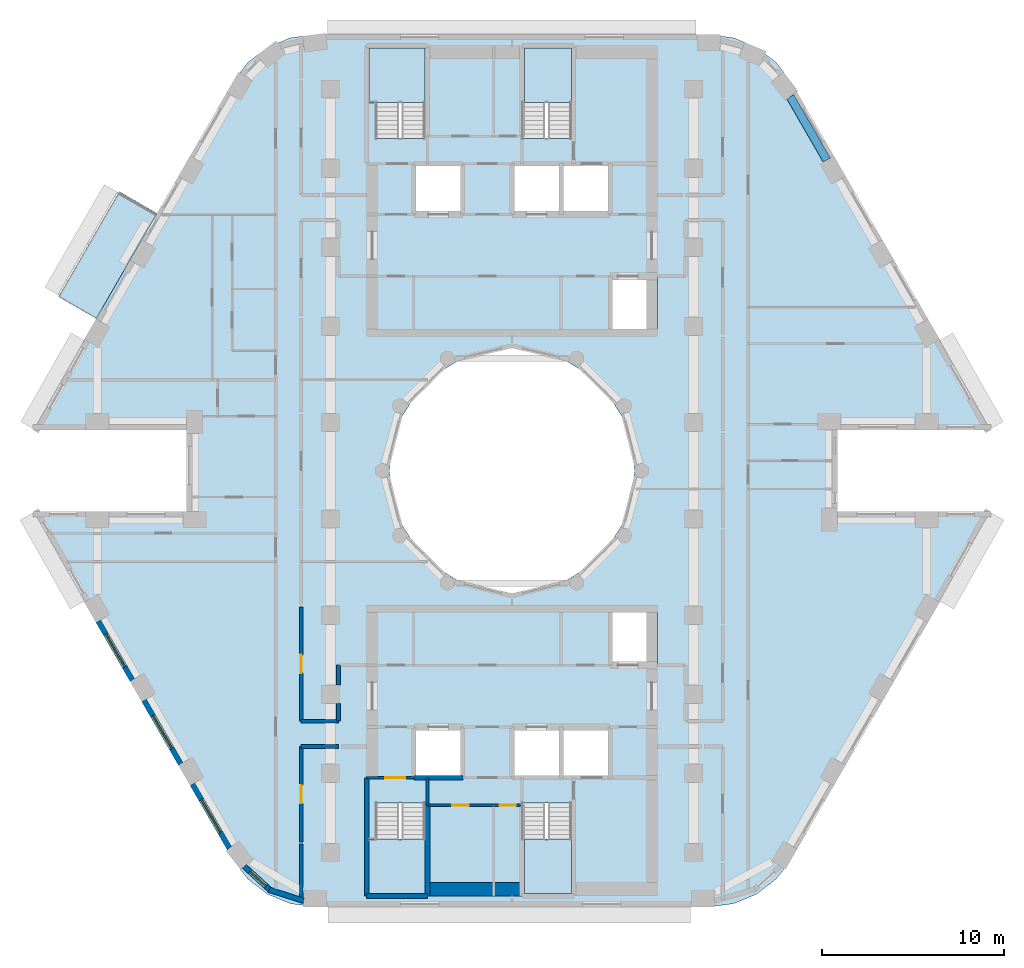
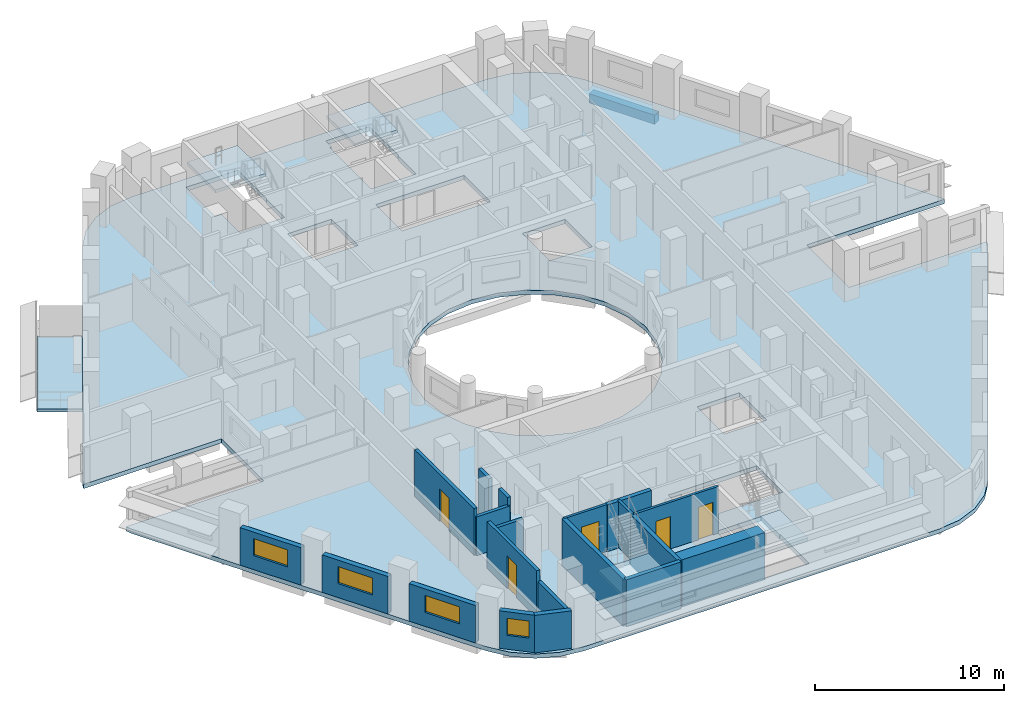
# One storey, part 2 of 13: 20 walls, 6 slabs, 5 doors, 4 windows, 1 beam, 9 openings, 4 elements without a shape of their own.
"""IFC4 building model written with IfcOpenShell, lengths in metres."""

from ifc_helpers import new_model, si_unit, direction, frame, frame_2d, origin, origin_2d, place, context, subcontext, project, spatial, polyline, rectangle, outline, extrude, material, layer, layer_set, material_profile, profile_set, type_object, element, fill, aggregate, save


model = new_model("IFC4")

# Units and contexts
model_context = context("Model", 3, precision=1e-05, world=origin(), true_north=direction((0.0, 1.0)))
body_context = subcontext(model_context, "Body", "Model", "MODEL_VIEW")
ifc_project = project(units=[si_unit("LENGTHUNIT", "METRE"), si_unit("AREAUNIT", "SQUARE_METRE"), si_unit("VOLUMEUNIT", "CUBIC_METRE"), si_unit("PLANEANGLEUNIT", "RADIAN"), si_unit("MASSUNIT", "GRAM", prefix="KILO")], contexts=[model_context])

# Site, building, storey
site_placement = place(None, origin())
site = spatial("IfcSite", under=ifc_project, at=site_placement, CompositionType="ELEMENT")
building_placement = place(site_placement, origin())
building = spatial("IfcBuilding", under=site, at=building_placement, Name="Nakaniwa Court", CompositionType="ELEMENT")
storey_placement = place(building_placement, frame((0.0, 0.0, 150.300048828125)))
storey = spatial("IfcBuildingStorey", under=building, at=storey_placement, Name="L39", CompositionType="ELEMENT", Elevation=150.300048828125)

# Beam
ifc_material_1 = material(Name="Concrete C80/100", Category="concrete")
ifc_material_profile = material_profile(ifc_material_1, rectangle(XDim=0.449951171875, YDim=0.60009765625, at=origin_2d()), Name="Concrete C80/100 RC 450x600 spandrel beam")
ifc_profile_set = profile_set([ifc_material_profile], Name="Concrete C80/100")
beam_type = type_object("IfcBeamType", Name="Concrete C80/100 RC 450x600 spandrel beam", PredefinedType="BEAM", material=ifc_profile_set)
beam_placement = place(storey_placement, frame((97.320556640625, 97.10009765625, -0.574951171875), z_axis=(-0.500018573463, 0.866014680125, 0.0), x_axis=(-0.866014680125, -0.500018573463, 0.0)))
element("IfcBeam", 1, at=beam_placement, inside=storey, type_object=beam_type, Name="SPANDREL BEAM", PredefinedType="BEAM", context=body_context, shape_type="SweptSolid", body=[
    extrude(rectangle(XDim=0.449951171875, YDim=0.60009765625, at=origin_2d()), origin(), (0.0, 0.0, 1.0), 4.020263671875),
])

# Slabs
ifc_material_2 = material(Name="Charcoal ceramic paver")
ifc_layer_1 = layer(ifc_material_2, 0.02, Name="Ceramic paver")
ifc_material_3 = material(Name="Cement sand screed")
ifc_layer_2 = layer(ifc_material_3, 0.03, Name="Falls screed")
ifc_material_4 = material(Name="Concrete C40/50", Category="concrete")
ifc_layer_3 = layer(ifc_material_4, 0.15, Name="Balcony slab")
ifc_layer_set_1 = layer_set([ifc_layer_1, ifc_layer_2, ifc_layer_3], Name="Concrete C40/50 balcony slab with ceramic paver finish")
slab_type_1 = type_object("IfcSlabType", Name="Balcony slab 200", PredefinedType="FLOOR", material=ifc_layer_set_1)
slab_1_placement = place(storey_placement, frame((0.0, 0.0, -0.25)))
element("IfcSlab", 2, at=slab_1_placement, inside=storey, type_object=slab_type_1, Name="L39 balcony 01", PredefinedType="FLOOR", context=body_context, shape_type="SweptSolid", body=[
    extrude(outline(polyline([(60.466796875, 94.16748046875), (57.12255859375, 88.375), (55.044189453125, 89.574951171875), (58.38818359375, 95.36767578125), (60.466796875, 94.16748046875)])), origin(), (0.0, 0.0, 1.0), 0.199951171875),
])
ifc_layer_4 = layer(ifc_material_1, 0.27490234375)
ifc_layer_set_2 = layer_set([ifc_layer_4], Name="Concrete C80/100")
slab_type_2 = type_object("IfcSlabType", Name="Concrete C80/100 post tensioned floor slab 275", PredefinedType="FLOOR", material=ifc_layer_set_2)
slab_2_placement = place(storey_placement, frame((0.0, 0.0, -0.275146484375)))
element("IfcSlab", 3, at=slab_2_placement, inside=storey, type_object=slab_type_2, Name="FLOOR SLAB", PredefinedType="FLOOR", context=body_context, shape_type="SweptSolid", body=[
    extrude(outline(polyline([(97.908447265625, 82.25), (106.356689453125, 82.25), (106.211669921875, 82.60009765625), (95.357421875, 101.39990234375), (94.531005859375, 102.47705078125), (93.4541015625, 103.30322265625), (92.199951171875, 103.82275390625), (90.854248046875, 104.0), (69.145751953125, 104.0), (67.800048828125, 103.82275390625), (66.5458984375, 103.30322265625), (65.468994140625, 102.47705078125), (64.642578125, 101.39990234375), (53.788330078125, 82.60009765625), (53.643310546875, 82.25), (62.091552734375, 82.25), (62.091552734375, 77.75), (53.643310546875, 77.75), (53.788330078125, 77.39990234375), (64.642578125, 58.60009765625), (65.468994140625, 57.52294921875), (66.5458984375, 56.69677734375), (67.800048828125, 56.17724609375), (69.145751953125, 56.0), (90.854248046875, 56.0), (92.199951171875, 56.17724609375), (93.4541015625, 56.69677734375), (94.531005859375, 57.52294921875), (95.357421875, 58.60009765625), (106.211669921875, 77.39990234375), (106.356689453125, 77.75), (97.908447265625, 77.75), (97.908447265625, 82.25)]), holes=[polyline([(81.501953125, 86.580810546875), (80.0, 86.75), (78.498046875, 86.580810546875), (77.0712890625, 86.08154296875), (75.79150390625, 85.27734375), (74.72265625, 84.20849609375), (73.91845703125, 82.9287109375), (73.419189453125, 81.501953125), (73.25, 80.0), (73.419189453125, 78.498046875), (73.91845703125, 77.0712890625), (74.72265625, 75.79150390625), (75.79150390625, 74.72265625), (77.0712890625, 73.91845703125), (78.498046875, 73.419189453125), (80.0, 73.25), (81.501953125, 73.419189453125), (82.9287109375, 73.91845703125), (84.20849609375, 74.72265625), (85.27734375, 75.79150390625), (86.08154296875, 77.0712890625), (86.580810546875, 78.498046875), (86.75, 80.0), (86.580810546875, 81.501953125), (86.08154296875, 82.9287109375), (85.27734375, 84.20849609375), (84.20849609375, 85.27734375), (82.9287109375, 86.08154296875), (81.501953125, 86.580810546875)]), polyline([(72.47509765625, 61.7099609375), (72.47509765625, 59.764892578125), (72.0849609375, 59.764892578125), (72.0849609375, 56.68505859375), (75.264892578125, 56.68505859375), (75.264892578125, 59.764892578125), (75.22509765625, 59.764892578125), (75.22509765625, 61.7099609375), (72.47509765625, 61.7099609375)]), polyline([(77.300048828125, 65.89990234375), (74.60009765625, 65.89990234375), (74.60009765625, 63.10009765625), (77.300048828125, 63.10009765625), (77.300048828125, 65.89990234375)]), polyline([(80.0, 65.89990234375), (80.0, 63.10009765625), (82.699951171875, 63.10009765625), (85.39990234375, 63.10009765625), (85.39990234375, 65.89990234375), (82.699951171875, 65.89990234375), (80.0, 65.89990234375)]), polyline([(77.300048828125, 96.89990234375), (74.60009765625, 96.89990234375), (74.60009765625, 94.10009765625), (77.300048828125, 94.10009765625), (77.300048828125, 96.89990234375)]), polyline([(80.0, 96.89990234375), (80.0, 94.10009765625), (82.699951171875, 94.10009765625), (85.39990234375, 94.10009765625), (85.39990234375, 96.89990234375), (82.699951171875, 96.89990234375), (80.0, 96.89990234375)]), polyline([(75.264892578125, 100.235107421875), (75.264892578125, 103.31494140625), (72.0849609375, 103.31494140625), (72.0849609375, 100.235107421875), (72.47509765625, 100.235107421875), (72.47509765625, 98.2900390625), (75.22509765625, 98.2900390625), (75.22509765625, 100.235107421875), (75.264892578125, 100.235107421875)]), polyline([(83.27490234375, 61.7099609375), (80.52490234375, 61.7099609375), (80.52490234375, 57.324951171875), (80.635009765625, 57.324951171875), (80.635009765625, 56.68505859375), (83.31494140625, 56.68505859375), (83.31494140625, 59.764892578125), (83.27490234375, 59.764892578125), (83.27490234375, 61.7099609375)]), polyline([(88.0, 72.199951171875), (85.39990234375, 72.199951171875), (85.39990234375, 69.300048828125), (88.0, 69.300048828125), (88.0, 72.199951171875)]), polyline([(88.0, 90.699951171875), (85.39990234375, 90.699951171875), (85.39990234375, 87.800048828125), (88.0, 87.800048828125), (88.0, 90.699951171875)]), polyline([(83.31494140625, 100.235107421875), (83.31494140625, 103.31494140625), (80.635009765625, 103.31494140625), (80.635009765625, 102.675048828125), (80.52490234375, 102.675048828125), (80.52490234375, 98.2900390625), (83.27490234375, 98.2900390625), (83.27490234375, 100.235107421875), (83.31494140625, 100.235107421875)])]), origin(), (0.0, 0.0, 1.0), 0.275146484375),
])

# Stair, slab
stair_type = type_object("IfcStairType", Name="Dog leg stair 1300 wide 18 risers", PredefinedType="HALF_TURN_STAIR", material=ifc_material_1)
stair_1_placement = place(storey_placement, origin())
stair_1 = element("IfcStair", 4, at=stair_1_placement, inside=storey, type_object=stair_type, Name="L39 Stair ST1", PredefinedType="HALF_TURN_STAIR")
ifc_layer_5 = layer(ifc_material_1, 0.199951171875)
ifc_layer_set_3 = layer_set([ifc_layer_5], Name="Concrete C80/100")
slab_type_3 = type_object("IfcSlabType", Name="Stair landing concrete", PredefinedType="LANDING", material=ifc_layer_set_3)
slab_3_placement = place(storey_placement, frame((0.0, 0.0, 1.449951171875)))
slab_3 = element("IfcSlab", 5, at=slab_3_placement, type_object=slab_type_3, Name="ST1 landing 1", PredefinedType="LANDING", context=body_context, shape_type="SweptSolid", body=[
    extrude(outline(polyline([(75.22509765625, 100.27490234375), (75.22509765625, 103.27490234375), (72.125, 103.27490234375), (72.125, 100.27490234375), (75.22509765625, 100.27490234375)])), origin(), (0.0, 0.0, 1.0), 0.199951171875),
])
aggregate(stair_1, [slab_3])

stair_2_placement = place(storey_placement, origin())
stair_2 = element("IfcStair", 6, at=stair_2_placement, inside=storey, type_object=stair_type, Name="L39 Stair ST2", PredefinedType="HALF_TURN_STAIR")
slab_4_placement = place(storey_placement, frame((0.0, 0.0, 1.449951171875)))
slab_4 = element("IfcSlab", 7, at=slab_4_placement, type_object=slab_type_3, Name="ST2 landing 1", PredefinedType="LANDING", context=body_context, shape_type="SweptSolid", body=[
    extrude(outline(polyline([(83.27490234375, 100.27490234375), (83.27490234375, 103.27490234375), (80.675048828125, 103.27490234375), (80.675048828125, 100.27490234375), (83.27490234375, 100.27490234375)])), origin(), (0.0, 0.0, 1.0), 0.199951171875),
])
aggregate(stair_2, [slab_4])

stair_3_placement = place(storey_placement, origin())
stair_3 = element("IfcStair", 8, at=stair_3_placement, inside=storey, type_object=stair_type, Name="L39 Stair ST3", PredefinedType="HALF_TURN_STAIR")
slab_5_placement = place(storey_placement, frame((0.0, 0.0, 1.449951171875)))
slab_5 = element("IfcSlab", 9, at=slab_5_placement, type_object=slab_type_3, Name="ST3 landing 1", PredefinedType="LANDING", context=body_context, shape_type="SweptSolid", body=[
    extrude(outline(polyline([(75.22509765625, 56.72509765625), (75.22509765625, 59.72509765625), (72.125, 59.72509765625), (72.125, 56.72509765625), (75.22509765625, 56.72509765625)])), origin(), (0.0, 0.0, 1.0), 0.199951171875),
])
aggregate(stair_3, [slab_5])

stair_4_placement = place(storey_placement, origin())
stair_4 = element("IfcStair", 10, at=stair_4_placement, inside=storey, type_object=stair_type, Name="L39 Stair ST4", PredefinedType="HALF_TURN_STAIR")
slab_6_placement = place(storey_placement, frame((0.0, 0.0, 1.449951171875)))
slab_6 = element("IfcSlab", 11, at=slab_6_placement, type_object=slab_type_3, Name="ST4 landing 1", PredefinedType="LANDING", context=body_context, shape_type="SweptSolid", body=[
    extrude(outline(polyline([(83.27490234375, 56.72509765625), (83.27490234375, 59.72509765625), (80.675048828125, 59.72509765625), (80.675048828125, 56.72509765625), (83.27490234375, 56.72509765625)])), origin(), (0.0, 0.0, 1.0), 0.199951171875),
])
aggregate(stair_4, [slab_6])

# Walls
ifc_material_5 = material(Name="Acoustic double stud partition")
ifc_layer_6 = layer(ifc_material_5, 0.199951171875)
ifc_layer_set_4 = layer_set([ifc_layer_6], Name="Acoustic double stud partition")
wall_type_1 = type_object("IfcWallType", Name="Acoustic double stud partition 200", PredefinedType="PARTITIONING", material=ifc_layer_set_4)
wall_1_placement = place(storey_placement, frame((68.39990234375, 64.824951171875, 0.0), z_axis=(0.0, 0.0, 1.0), x_axis=(1.0, 0.0, 0.0)))
element("IfcWall", 12, at=wall_1_placement, inside=storey, type_object=wall_type_1, Name="Partition PW-076", PredefinedType="PARTITIONING", context=body_context, shape_type="SweptSolid", body=[
    extrude(rectangle(XDim=2.06298828125, YDim=0.199951171875, at=frame_2d((1.031494140625, 0.0))), origin(), (0.0, 0.0, 1.0), 2.5048828125),
])
wall_2_placement = place(storey_placement, frame((68.39990234375, 66.22509765625, 0.0), z_axis=(0.0, 0.0, 1.0), x_axis=(1.0, 0.0, 0.0)))
element("IfcWall", 13, at=wall_2_placement, inside=storey, type_object=wall_type_1, Name="Partition PW-087", PredefinedType="PARTITIONING", context=body_context, shape_type="SweptSolid", body=[
    extrude(rectangle(XDim=2.050048828125, YDim=0.199951171875, at=frame_2d((1.02490234375, 0.0))), origin(), (0.0, 0.0, 1.0), 2.5048828125),
])
wall_3_placement = place(storey_placement, frame((68.39990234375, 56.40087890625, 0.0), z_axis=(0.0, 0.0, 1.0), x_axis=(0.0, 1.0, 0.0)))
element("IfcWall", 14, at=wall_3_placement, inside=storey, type_object=wall_type_1, Name="Partition PW-097", PredefinedType="PARTITIONING", context=body_context, shape_type="SweptSolid", body=[
    extrude(rectangle(XDim=3.06201171875, YDim=0.199951171875, at=frame_2d((1.531005859375, 0.0))), origin(), (0.0, 0.0, 1.0), 2.405029296875),
])

# Wall, opening, door
wall_4_placement = place(storey_placement, frame((68.39990234375, 64.824951171875, 0.0), z_axis=(0.0, 0.0, 1.0), x_axis=(0.0, -1.0, 0.0)))
wall_4 = element("IfcWall", 15, at=wall_4_placement, inside=storey, type_object=wall_type_1, Name="Partition PW-098", PredefinedType="PARTITIONING", context=body_context, shape_type="SweptSolid", body=[
    extrude(rectangle(XDim=5.247802734375, YDim=0.199951171875, at=frame_2d((2.6240234375, 0.0))), origin(), (0.0, 0.0, 1.0), 3.02490234375),
])
opening_1_placement = place(wall_4_placement, frame((2.123046875, 0.0, 0.0)))
opening_1 = element("IfcOpeningElement", 16, at=opening_1_placement, cuts=wall_4, Name="Opening D-02-05", PredefinedType="OPENING", context=body_context, shape_type="SweptSolid", body=[
    extrude(rectangle(XDim=1.0, YDim=2.10009765625, at=frame_2d((0.5, 1.050048828125))), frame((0.0, 0.10986328125, 0.0), z_axis=(0.0, -1.0, 0.0), x_axis=(1.0, 0.0, 0.0)), (0.0, 0.0, 1.0), 0.219970703125),
])
ifc_material_6 = material(Name="Solid core timber door set, black veneer", Category="wood")
door_type_1 = type_object("IfcDoorType", Name="Internal door 1000", OperationType="NOTDEFINED", PredefinedType="DOOR", material=ifc_material_6)
door_1_placement = place(opening_1_placement, origin())
door_1 = element("IfcDoor", 17, at=door_1_placement, inside=storey, type_object=door_type_1, Name="Door D-02-05 L39-031", OperationType="SINGLE_SWING_RIGHT", OverallHeight=2.10009765625, OverallWidth=1.0, PredefinedType="DOOR", context=body_context, shape_type="SweptSolid", body=[
    extrude(rectangle(XDim=1.0, YDim=2.10009765625, at=frame_2d((0.5, 1.050048828125))), frame((0.0, 0.02490234375, 0.0), z_axis=(0.0, -1.0, 0.0), x_axis=(1.0, 0.0, 0.0)), (0.0, 0.0, 1.0), 0.050048828125),
])
fill(opening_1, door_1)

wall_5_placement = place(storey_placement, frame((68.39990234375, 72.5126953125, 0.0), z_axis=(0.0, 0.0, 1.0), x_axis=(0.0, -1.0, 0.0)))
wall_5 = element("IfcWall", 18, at=wall_5_placement, inside=storey, type_object=wall_type_1, Name="Partition PW-099", PredefinedType="PARTITIONING", context=body_context, shape_type="SweptSolid", body=[
    extrude(rectangle(XDim=6.28759765625, YDim=0.199951171875, at=frame_2d((3.143798828125, 0.0))), origin(), (0.0, 0.0, 1.0), 3.02490234375),
])
opening_2_placement = place(wall_5_placement, frame((2.64501953125, 0.0, 0.0)))
opening_2 = element("IfcOpeningElement", 19, at=opening_2_placement, cuts=wall_5, Name="Opening D-02-07", PredefinedType="OPENING", context=body_context, shape_type="SweptSolid", body=[
    extrude(rectangle(XDim=1.0, YDim=2.10009765625, at=frame_2d((0.5, 1.050048828125))), frame((0.0, 0.10986328125, 0.0), z_axis=(0.0, -1.0, 0.0), x_axis=(1.0, 0.0, 0.0)), (0.0, 0.0, 1.0), 0.219970703125),
])
door_2_placement = place(opening_2_placement, origin())
door_2 = element("IfcDoor", 20, at=door_2_placement, inside=storey, type_object=door_type_1, Name="Door D-02-07 L39-033", OperationType="SINGLE_SWING_RIGHT", OverallHeight=2.10009765625, OverallWidth=1.0, PredefinedType="DOOR", context=body_context, shape_type="SweptSolid", body=[
    extrude(rectangle(XDim=1.0, YDim=2.10009765625, at=frame_2d((0.5, 1.050048828125))), frame((0.0, 0.02490234375, 0.0), z_axis=(0.0, -1.0, 0.0), x_axis=(1.0, 0.0, 0.0)), (0.0, 0.0, 1.0), 0.050048828125),
])
fill(opening_2, door_2)

# Walls
wall_6_placement = place(storey_placement, frame((70.449951171875, 66.22509765625, 0.0), z_axis=(0.0, 0.0, 1.0), x_axis=(0.0, 1.0, 0.0)))
element("IfcWall", 21, at=wall_6_placement, inside=storey, type_object=wall_type_1, Name="Partition PW-107", PredefinedType="PARTITIONING", context=body_context, shape_type="SweptSolid", body=[
    extrude(rectangle(XDim=0.957763671875, YDim=0.199951171875, at=frame_2d((0.47900390625, 0.0))), origin(), (0.0, 0.0, 1.0), 3.02490234375),
])
wall_7_placement = place(storey_placement, frame((70.449951171875, 68.21728515625, 0.0), z_axis=(0.0, 0.0, 1.0), x_axis=(0.0, 1.0, 0.0)))
element("IfcWall", 22, at=wall_7_placement, inside=storey, type_object=wall_type_1, Name="Partition PW-108", PredefinedType="PARTITIONING", context=body_context, shape_type="SweptSolid", body=[
    extrude(rectangle(XDim=1.082763671875, YDim=0.199951171875, at=frame_2d((0.54150390625, 0.0))), origin(), (0.0, 0.0, 1.0), 3.02490234375),
])

# Wall, opening, window
ifc_material_7 = material(Name="Charcoal ceramic cladding")
ifc_layer_7 = layer(ifc_material_7, 0.02, Name="Ceramic cladding")
ifc_material_8 = material(Name="Ventilated air cavity")
ifc_layer_8 = layer(ifc_material_8, 0.04, ventilated=True, Name="Ventilated cavity")
ifc_material_9 = material(Name="Mineral wool insulation")
ifc_layer_9 = layer(ifc_material_9, 0.1, Name="Insulation")
ifc_material_10 = material(Name="Cement bonded sheathing board")
ifc_layer_10 = layer(ifc_material_10, 0.012, Name="Sheathing")
ifc_material_11 = material(Name="Cold-formed galvanised stud frame with mineral wool infill")
ifc_layer_11 = layer(ifc_material_11, 0.1, Name="Stud frame")
ifc_material_12 = material(Name="Fire-rated gypsum plasterboard lining")
ifc_layer_12 = layer(ifc_material_12, 0.028, Name="Lining")
ifc_layer_set_5 = layer_set([ifc_layer_7, ifc_layer_8, ifc_layer_9, ifc_layer_10, ifc_layer_11, ifc_layer_12], Name="Charcoal ceramic faced external wall system")
wall_type_2 = type_object("IfcWallType", Name="Black ceramic faced external wall 300", PredefinedType="SOLIDWALL", material=ifc_layer_set_5)
wall_8_placement = place(storey_placement, frame((57.240478515625, 71.720947265625, 0.0), z_axis=(0.0, 0.0, 1.0), x_axis=(0.499933594891, -0.866063739398, 0.0)))
wall_8 = element("IfcWall", 23, at=wall_8_placement, inside=storey, type_object=wall_type_2, Name="L39 external wall 21", PredefinedType="SOLIDWALL", context=body_context, shape_type="SweptSolid", body=[
    extrude(rectangle(XDim=3.73681640625, YDim=0.300048828125, at=frame_2d((1.868408203125, 0.0))), origin(), (0.0, 0.0, 1.0), 2.425048828125),
])
opening_3_placement = place(wall_8_placement, frame((0.818359375, 0.0, 0.89990234375)))
opening_3 = element("IfcOpeningElement", 24, at=opening_3_placement, cuts=wall_8, Name="Opening W7.21", PredefinedType="OPENING", context=body_context, shape_type="SweptSolid", body=[
    extrude(rectangle(XDim=2.10009765625, YDim=1.10009765625, at=frame_2d((1.050048828125, 0.550048828125))), frame((0.0, 0.159912109375, 0.0), z_axis=(0.0, -1.0, 0.0), x_axis=(1.0, 0.0, 0.0)), (0.0, 0.0, 1.0), 0.320068359375),
])
ifc_material_13 = material(Name="Black anodised aluminium frame with dark low-E laminated double glazing", Category="aluminium")
window_type_1 = type_object("IfcWindowType", Name="Dark glass window 2100x1100 sill 900", PartitioningType="SINGLE_PANEL", PredefinedType="WINDOW", material=ifc_material_13)
window_1_placement = place(opening_3_placement, origin())
window_1 = element("IfcWindow", 25, at=window_1_placement, inside=storey, type_object=window_type_1, Name="L39 habitable room window 21-0", OverallHeight=1.10009765625, OverallWidth=2.10009765625, PartitioningType="SINGLE_PANEL", PredefinedType="WINDOW", context=body_context, shape_type="SweptSolid", body=[
    extrude(rectangle(XDim=2.10009765625, YDim=1.10009765625, at=frame_2d((1.050048828125, 0.550048828125))), frame((0.0, 0.030029296875, 0.0), z_axis=(0.0, -1.0, 0.0), x_axis=(1.0, 0.0, 0.0)), (0.0, 0.0, 1.0), 0.06005859375),
])
fill(opening_3, window_1)

wall_9_placement = place(storey_placement, frame((59.754638671875, 67.36572265625, 0.0), z_axis=(0.0, 0.0, 1.0), x_axis=(0.500031546601, -0.86600718958, 0.0)))
wall_9 = element("IfcWall", 26, at=wall_9_placement, inside=storey, type_object=wall_type_2, Name="L39 external wall 22", PredefinedType="SOLIDWALL", context=body_context, shape_type="SweptSolid", body=[
    extrude(rectangle(XDim=4.033935546875, YDim=0.300048828125, at=frame_2d((2.01708984375, 0.0))), origin(), (0.0, 0.0, 1.0), 2.425048828125),
])
opening_4_placement = place(wall_9_placement, frame((0.966796875, 0.0, 0.89990234375)))
opening_4 = element("IfcOpeningElement", 27, at=opening_4_placement, cuts=wall_9, Name="Opening W7.22", PredefinedType="OPENING", context=body_context, shape_type="SweptSolid", body=[
    extrude(rectangle(XDim=2.10009765625, YDim=1.10009765625, at=frame_2d((1.050048828125, 0.550048828125))), frame((0.0, 0.159912109375, 0.0), z_axis=(0.0, -1.0, 0.0), x_axis=(1.0, 0.0, 0.0)), (0.0, 0.0, 1.0), 0.320068359375),
])
window_2_placement = place(opening_4_placement, origin())
window_2 = element("IfcWindow", 28, at=window_2_placement, inside=storey, type_object=window_type_1, Name="L39 habitable room window 22-0", OverallHeight=1.10009765625, OverallWidth=2.10009765625, PartitioningType="SINGLE_PANEL", PredefinedType="WINDOW", context=body_context, shape_type="SweptSolid", body=[
    extrude(rectangle(XDim=2.10009765625, YDim=1.10009765625, at=frame_2d((1.050048828125, 0.550048828125))), frame((0.0, 0.030029296875, 0.0), z_axis=(0.0, -1.0, 0.0), x_axis=(1.0, 0.0, 0.0)), (0.0, 0.0, 1.0), 0.06005859375),
])
fill(opening_4, window_2)

wall_10_placement = place(storey_placement, frame((62.417724609375, 62.75341796875, 0.0), z_axis=(0.0, 0.0, 1.0), x_axis=(0.500018589245, -0.866014671013, 0.0)))
wall_10 = element("IfcWall", 29, at=wall_10_placement, inside=storey, type_object=wall_type_2, Name="L39 external wall 23", PredefinedType="SOLIDWALL", context=body_context, shape_type="SweptSolid", body=[
    extrude(rectangle(XDim=4.067626953125, YDim=0.300048828125, at=frame_2d((2.03369140625, 0.0))), origin(), (0.0, 0.0, 1.0), 2.425048828125),
])
opening_5_placement = place(wall_10_placement, frame((0.97265625, 0.0, 0.89990234375)))
opening_5 = element("IfcOpeningElement", 30, at=opening_5_placement, cuts=wall_10, Name="Opening W7.23", PredefinedType="OPENING", context=body_context, shape_type="SweptSolid", body=[
    extrude(rectangle(XDim=2.10009765625, YDim=1.10009765625, at=frame_2d((1.050048828125, 0.550048828125))), frame((0.0, 0.159912109375, 0.0), z_axis=(0.0, -1.0, 0.0), x_axis=(1.0, 0.0, 0.0)), (0.0, 0.0, 1.0), 0.320068359375),
])
window_3_placement = place(opening_5_placement, origin())
window_3 = element("IfcWindow", 31, at=window_3_placement, inside=storey, type_object=window_type_1, Name="L39 habitable room window 23-0", OverallHeight=1.10009765625, OverallWidth=2.10009765625, PartitioningType="SINGLE_PANEL", PredefinedType="WINDOW", context=body_context, shape_type="SweptSolid", body=[
    extrude(rectangle(XDim=2.10009765625, YDim=1.10009765625, at=frame_2d((1.050048828125, 0.550048828125))), frame((0.0, 0.030029296875, 0.0), z_axis=(0.0, -1.0, 0.0), x_axis=(1.0, 0.0, 0.0)), (0.0, 0.0, 1.0), 0.06005859375),
])
fill(opening_5, window_3)

wall_11_placement = place(storey_placement, frame((65.26904296875, 58.229248046875, 0.0), z_axis=(0.0, 0.0, 1.0), x_axis=(0.737487298625, -0.675361002995, 0.0)))
wall_11 = element("IfcWall", 32, at=wall_11_placement, inside=storey, type_object=wall_type_2, Name="L39 external wall 24", PredefinedType="SOLIDWALL", context=body_context, shape_type="SweptSolid", body=[
    extrude(rectangle(XDim=1.9765625, YDim=0.300048828125, at=frame_2d((0.98828125, 0.0))), origin(), (0.0, 0.0, 1.0), 2.425048828125),
])
opening_6_placement = place(wall_11_placement, frame((0.41552734375, 0.0, 0.89990234375)))
opening_6 = element("IfcOpeningElement", 33, at=opening_6_placement, cuts=wall_11, Name="Opening W6.24", PredefinedType="OPENING", context=body_context, shape_type="SweptSolid", body=[
    extrude(rectangle(XDim=1.199951171875, YDim=1.10009765625, at=frame_2d((0.60009765625, 0.550048828125))), frame((0.0, 0.159912109375, 0.0), z_axis=(0.0, -1.0, 0.0), x_axis=(1.0, 0.0, 0.0)), (0.0, 0.0, 1.0), 0.320068359375),
])
window_type_2 = type_object("IfcWindowType", Name="Dark glass window 1200x1100 sill 900", PartitioningType="SINGLE_PANEL", PredefinedType="WINDOW", material=ifc_material_13)
window_4_placement = place(opening_6_placement, origin())
window_4 = element("IfcWindow", 34, at=window_4_placement, inside=storey, type_object=window_type_2, Name="L39 habitable room window 24-0", OverallHeight=1.10009765625, OverallWidth=1.199951171875, PartitioningType="SINGLE_PANEL", PredefinedType="WINDOW", context=body_context, shape_type="SweptSolid", body=[
    extrude(rectangle(XDim=1.199951171875, YDim=1.10009765625, at=frame_2d((0.60009765625, 0.550048828125))), frame((0.0, 0.030029296875, 0.0), z_axis=(0.0, -1.0, 0.0), x_axis=(1.0, 0.0, 0.0)), (0.0, 0.0, 1.0), 0.06005859375),
])
fill(opening_6, window_4)

# Wall
wall_12_placement = place(storey_placement, frame((66.625732421875, 56.94580078125, 0.0), z_axis=(0.0, 0.0, 1.0), x_axis=(0.952201240673, -0.305471434444, 0.0)))
element("IfcWall", 35, at=wall_12_placement, inside=storey, type_object=wall_type_2, Name="L39 external wall 25", PredefinedType="SOLIDWALL", context=body_context, shape_type="SweptSolid", body=[
    extrude(rectangle(XDim=1.998779296875, YDim=0.300048828125, at=frame_2d((0.99951171875, 0.0))), origin(), (0.0, 0.0, 1.0), 2.425048828125),
])

# Wall, openings, doors
ifc_material_14 = material(Name="Blockwork partition", Category="masonry")
ifc_layer_13 = layer(ifc_material_14, 0.14990234375)
ifc_layer_set_6 = layer_set([ifc_layer_13], Name="Blockwork partition")
wall_type_3 = type_object("IfcWallType", Name="Blockwork partition 150", PredefinedType="PARTITIONING", material=ifc_layer_set_6)
wall_13_placement = place(storey_placement, frame((80.550048828125, 61.60009765625, 0.0), z_axis=(0.0, 0.0, 1.0), x_axis=(-1.0, 0.0, 0.0)))
wall_13 = element("IfcWall", 36, at=wall_13_placement, inside=storey, type_object=wall_type_3, Name="Partition PW-065", PredefinedType="PARTITIONING", context=body_context, shape_type="SweptSolid", body=[
    extrude(rectangle(XDim=5.199951171875, YDim=0.14990234375, at=frame_2d((2.60009765625, 0.0))), origin(), (0.0, 0.0, 1.0), 3.02490234375),
])
opening_7_placement = place(wall_13_placement, frame((2.929931640625, 0.0, 0.0)))
opening_7 = element("IfcOpeningElement", 37, at=opening_7_placement, cuts=wall_13, Name="Opening D-05-11", PredefinedType="OPENING", context=body_context, shape_type="SweptSolid", body=[
    extrude(rectangle(XDim=0.89990234375, YDim=2.10009765625, at=frame_2d((0.449951171875, 1.050048828125))), frame((0.0, 0.0849609375, 0.0), z_axis=(0.0, -1.0, 0.0), x_axis=(1.0, 0.0, 0.0)), (0.0, 0.0, 1.0), 0.169921875),
])
opening_8_placement = place(wall_13_placement, frame((0.330078125, 0.0, 0.0)))
opening_8 = element("IfcOpeningElement", 38, at=opening_8_placement, cuts=wall_13, Name="Opening D-05-12", PredefinedType="OPENING", context=body_context, shape_type="SweptSolid", body=[
    extrude(rectangle(XDim=0.89990234375, YDim=2.10009765625, at=frame_2d((0.449951171875, 1.050048828125))), frame((0.0, 0.0849609375, 0.0), z_axis=(0.0, -1.0, 0.0), x_axis=(1.0, 0.0, 0.0)), (0.0, 0.0, 1.0), 0.169921875),
])
ifc_material_15 = material(Name="Fire rated steel door set", Category="steel")
door_type_2 = type_object("IfcDoorType", Name="Service room door 900", OperationType="NOTDEFINED", PredefinedType="DOOR", material=ifc_material_15)
door_3_placement = place(opening_7_placement, origin())
door_3 = element("IfcDoor", 39, at=door_3_placement, inside=storey, type_object=door_type_2, Name="Door D-05-11 L39-019", OperationType="SINGLE_SWING_RIGHT", OverallHeight=2.10009765625, OverallWidth=0.89990234375, PredefinedType="DOOR", context=body_context, shape_type="SweptSolid", body=[
    extrude(rectangle(XDim=0.89990234375, YDim=2.10009765625, at=frame_2d((0.449951171875, 1.050048828125))), frame((0.0, 0.02490234375, 0.0), z_axis=(0.0, -1.0, 0.0), x_axis=(1.0, 0.0, 0.0)), (0.0, 0.0, 1.0), 0.050048828125),
])
fill(opening_7, door_3)
door_4_placement = place(opening_8_placement, origin())
door_4 = element("IfcDoor", 40, at=door_4_placement, inside=storey, type_object=door_type_2, Name="Door D-05-12 L39-020", OperationType="SINGLE_SWING_LEFT", OverallHeight=2.10009765625, OverallWidth=0.89990234375, PredefinedType="DOOR", context=body_context, shape_type="SweptSolid", body=[
    extrude(rectangle(XDim=0.89990234375, YDim=2.10009765625, at=frame_2d((0.449951171875, 1.050048828125))), frame((0.0, 0.02490234375, 0.0), z_axis=(0.0, -1.0, 0.0), x_axis=(1.0, 0.0, 0.0)), (0.0, 0.0, 1.0), 0.050048828125),
])
fill(opening_8, door_4)

# Wall, opening, door
ifc_layer_14 = layer(ifc_material_1, 0.14990234375)
ifc_layer_set_7 = layer_set([ifc_layer_14], Name="Concrete C80/100")
wall_type_4 = type_object("IfcWallType", Name="Concrete core wall 150 C80", PredefinedType="SHEAR", material=ifc_layer_set_7)
wall_14_placement = place(storey_placement, frame((72.0, 63.10009765625, -0.275146484375), z_axis=(0.0, 0.0, 1.0), x_axis=(1.0, 0.0, 0.0)))
wall_14 = element("IfcWall", 41, at=wall_14_placement, inside=storey, type_object=wall_type_4, Name="Core wall SW-48", PredefinedType="SHEAR", context=body_context, shape_type="SweptSolid", body=[
    extrude(rectangle(XDim=2.60009765625, YDim=0.14990234375, at=frame_2d((1.300048828125, 0.0))), origin(), (0.0, 0.0, 1.0), 3.300048828125),
])
opening_9_placement = place(wall_14_placement, frame((1.02001953125, 0.0, 0.27490234375)))
opening_9 = element("IfcOpeningElement", 42, at=opening_9_placement, cuts=wall_14, Name="Opening D-09-02", PredefinedType="OPENING", context=body_context, shape_type="SweptSolid", body=[
    extrude(rectangle(XDim=1.10009765625, YDim=2.10009765625, at=frame_2d((0.550048828125, 1.050048828125))), frame((0.0, 0.0849609375, 0.0), z_axis=(0.0, -1.0, 0.0), x_axis=(1.0, 0.0, 0.0)), (0.0, 0.0, 1.0), 0.169921875),
])
door_type_3 = type_object("IfcDoorType", Name="Stair door 1100", OperationType="NOTDEFINED", PredefinedType="DOOR", material=ifc_material_15)
door_5_placement = place(opening_9_placement, origin())
door_5 = element("IfcDoor", 43, at=door_5_placement, inside=storey, type_object=door_type_3, Name="Door D-09-02 L39-021", OperationType="SINGLE_SWING_LEFT", OverallHeight=2.10009765625, OverallWidth=1.10009765625, PredefinedType="DOOR", context=body_context, shape_type="SweptSolid", body=[
    extrude(rectangle(XDim=1.10009765625, YDim=2.10009765625, at=frame_2d((0.550048828125, 1.050048828125))), frame((0.0, 0.02490234375, 0.0), z_axis=(0.0, -1.0, 0.0), x_axis=(1.0, 0.0, 0.0)), (0.0, 0.0, 1.0), 0.050048828125),
])
fill(opening_9, door_5)

# Walls
wall_15_placement = place(storey_placement, frame((75.35009765625, 61.596923828125, -0.275146484375), z_axis=(0.0, 0.0, 1.0), x_axis=(0.0, 1.0, 0.0)))
element("IfcWall", 44, at=wall_15_placement, inside=storey, type_object=wall_type_4, Name="Core wall SW-55", PredefinedType="SHEAR", context=body_context, shape_type="SweptSolid", body=[
    extrude(rectangle(XDim=1.503173828125, YDim=0.14990234375, at=frame_2d((0.75146484375, 0.0))), origin(), (0.0, 0.0, 1.0), 3.300048828125),
])
ifc_layer_15 = layer(ifc_material_1, 0.25)
ifc_layer_set_8 = layer_set([ifc_layer_15], Name="Concrete C80/100")
wall_type_5 = type_object("IfcWallType", Name="Concrete core wall 250 C80", PredefinedType="SHEAR", material=ifc_layer_set_8)
wall_16_placement = place(storey_placement, frame((72.0, 56.60009765625, -0.275146484375), z_axis=(0.0, 0.0, 1.0), x_axis=(0.0, 1.0, 0.0)))
element("IfcWall", 45, at=wall_16_placement, inside=storey, type_object=wall_type_5, Name="Core wall SW-57", PredefinedType="SHEAR", context=body_context, shape_type="SweptSolid", body=[
    extrude(rectangle(XDim=6.5, YDim=0.25, at=frame_2d((3.25, 0.0))), origin(), (0.0, 0.0, 1.0), 3.300048828125),
])
wall_17_placement = place(storey_placement, frame((72.0, 56.60009765625, -0.275146484375), z_axis=(0.0, 0.0, 1.0), x_axis=(1.0, 0.0, 0.0)))
element("IfcWall", 46, at=wall_17_placement, inside=storey, type_object=wall_type_5, Name="Core wall SW-58", PredefinedType="SHEAR", context=body_context, shape_type="SweptSolid", body=[
    extrude(rectangle(XDim=3.35009765625, YDim=0.25, at=frame_2d((1.675048828125, 0.0))), origin(), (0.0, 0.0, 1.0), 3.300048828125),
])
ifc_layer_16 = layer(ifc_material_1, 0.75)
ifc_layer_set_9 = layer_set([ifc_layer_16], Name="Concrete C80/100")
wall_type_6 = type_object("IfcWallType", Name="Concrete core wall 750 C80", PredefinedType="SHEAR", material=ifc_layer_set_9)
wall_18_placement = place(storey_placement, frame((75.35009765625, 56.97509765625, -0.275146484375), z_axis=(0.0, 0.0, 1.0), x_axis=(1.0, 0.0, 0.0)))
element("IfcWall", 47, at=wall_18_placement, inside=storey, type_object=wall_type_6, Name="Core wall SW-63", PredefinedType="SHEAR", context=body_context, shape_type="SweptSolid", body=[
    extrude(rectangle(XDim=5.199951171875, YDim=0.75, at=frame_2d((2.60009765625, 0.0))), origin(), (0.0, 0.0, 1.0), 3.300048828125),
])
ifc_layer_17 = layer(ifc_material_1, 0.25)
ifc_layer_set_10 = layer_set([ifc_layer_17], Name="Concrete C80/100")
wall_type_7 = type_object("IfcWallType", Name="Concrete shaft wall 250 C80", PredefinedType="SHEAR", material=ifc_layer_set_10)
wall_19_placement = place(storey_placement, frame((74.60009765625, 63.10009765625, -0.275146484375), z_axis=(0.0, 0.0, 1.0), x_axis=(1.0, 0.0, 0.0)))
element("IfcWall", 48, at=wall_19_placement, inside=storey, type_object=wall_type_7, Name="Core wall SW-50", PredefinedType="SHEAR", context=body_context, shape_type="SweptSolid", body=[
    extrude(rectangle(XDim=2.699951171875, YDim=0.25, at=frame_2d((1.35009765625, 0.0))), origin(), (0.0, 0.0, 1.0), 3.300048828125),
])
wall_20_placement = place(storey_placement, frame((75.35009765625, 56.60009765625, -0.275146484375), z_axis=(0.0, 0.0, 1.0), x_axis=(0.0, 1.0, 0.0)))
element("IfcWall", 49, at=wall_20_placement, inside=storey, type_object=wall_type_7, Name="Core wall SW-56", PredefinedType="SHEAR", context=body_context, shape_type="SweptSolid", body=[
    extrude(rectangle(XDim=5.0029296875, YDim=0.25, at=frame_2d((2.50146484375, 0.0))), origin(), (0.0, 0.0, 1.0), 3.300048828125),
])

save(model, "model.ifc")
